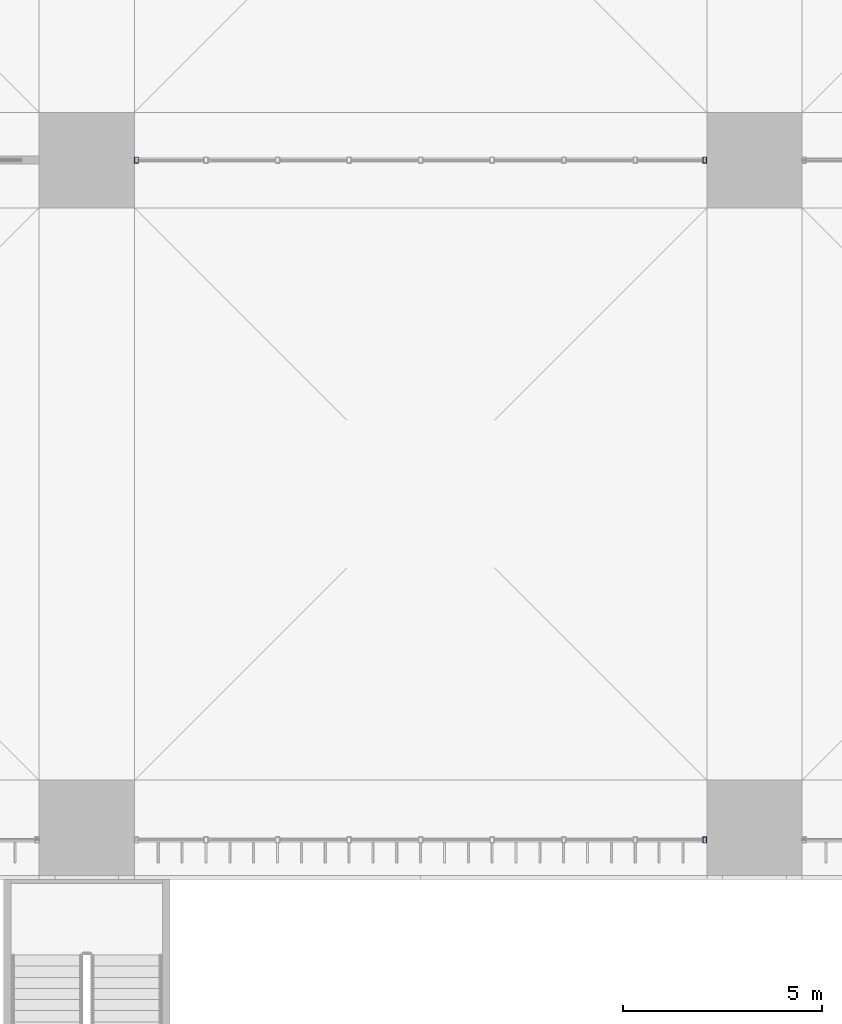
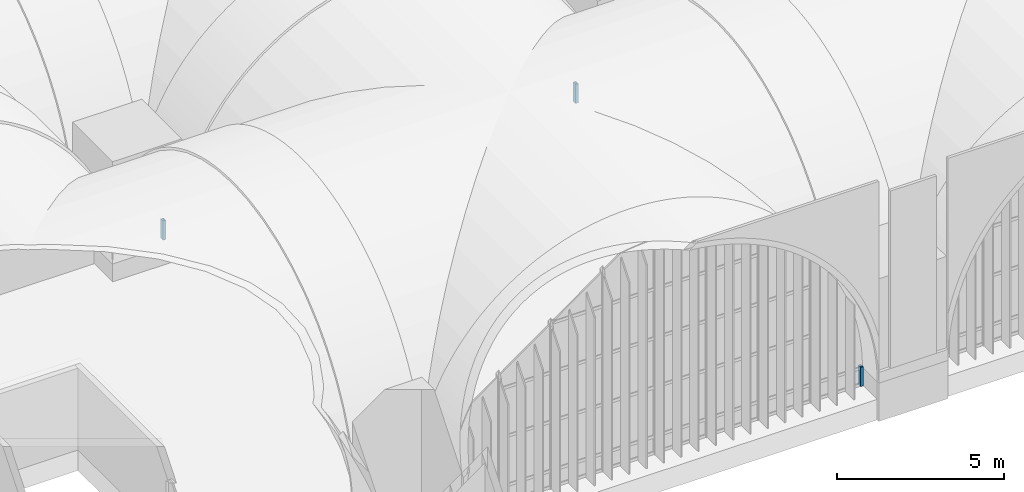
# One storey, part 61 of 169: 3 members, 2 elements without a shape of their own.
"""IFC4 building model written with IfcOpenShell, lengths in metres."""

from ifc_helpers import new_model, si_unit, direction, frame, origin, origin_2d, place, context, subcontext, project, spatial, hollow_rectangle, extrude, material, layer, layer_set, material_profile, profile_set, type_object, element, aggregate, save


model = new_model("IFC4")

# Units and contexts
model_context = context("Model", 3, precision=1e-05, world=origin(), true_north=direction((0.0, 1.0)))
body_context = subcontext(model_context, "Body", "Model", "MODEL_VIEW")
ifc_project = project(units=[si_unit("LENGTHUNIT", "METRE"), si_unit("AREAUNIT", "SQUARE_METRE"), si_unit("VOLUMEUNIT", "CUBIC_METRE"), si_unit("PLANEANGLEUNIT", "RADIAN"), si_unit("MASSUNIT", "GRAM", prefix="KILO")], contexts=[model_context])

# Site, building, storey
site_placement = place(None, origin())
site = spatial("IfcSite", under=ifc_project, at=site_placement, CompositionType="ELEMENT")
building_placement = place(site_placement, origin())
building = spatial("IfcBuilding", under=site, at=building_placement, Name="Verrick Yard Athletic Hall", CompositionType="ELEMENT")
storey_placement = place(building_placement, frame((0.0, 0.0, 4.39990234375)))
storey = spatial("IfcBuildingStorey", under=building, at=storey_placement, Name="L01", CompositionType="ELEMENT", Elevation=4.39990234375)

# Curtain wall, member
ifc_material_1 = material(Name="Aluminium and glass curtain wall", Category="aluminium")
ifc_layer_1 = layer(ifc_material_1, 0.14990234375)
ifc_layer_set_1 = layer_set([ifc_layer_1], Name="Arcade glazing arch")
curtain_wall_type_1 = type_object("IfcCurtainWallType", Name="Arcade glazing arch", PredefinedType="NOTDEFINED", material=ifc_layer_set_1)
curtain_wall_1_placement = place(storey_placement, origin())
curtain_wall_1 = element("IfcCurtainWall", 1, at=curtain_wall_1_placement, inside=storey, type_object=curtain_wall_type_1, Name="Arcade glazing S2", PredefinedType="NOTDEFINED")
ifc_material_2 = material(Name="Structural steel HSS Class C 350W (CSA G40.20/G40.21)", Category="steel")
ifc_material_profile = material_profile(ifc_material_2, hollow_rectangle(XDim=0.1015625, YDim=0.15234375, WallThickness=0.008056640625, at=origin_2d()), Name="HSS152x102x7.9")
ifc_profile_set = profile_set([ifc_material_profile], Name="Structural steel HSS Class C 350W (CSA G40.20/G40.21)")
member_type = type_object("IfcMemberType", Name="Curtain wall mullion HSS152x102x7.9", PredefinedType="MULLION", material=ifc_profile_set)
member_1_placement = place(storey_placement, frame((72.3486328125, 18.89990234375, 0.0), z_axis=(0.0, 0.0, 1.0), x_axis=(1.0, 0.0, 0.0)))
member_1 = element("IfcMember", 2, at=member_1_placement, type_object=member_type, Name="Arcade glazing S2 mullion 9", PredefinedType="MULLION", context=body_context, shape_type="SweptSolid", body=[
    extrude(hollow_rectangle(XDim=0.1015625, YDim=0.15234375, WallThickness=0.008056640625, at=origin_2d()), origin(), (0.0, 0.0, 1.0), 0.700927734375),
])
aggregate(curtain_wall_1, [member_1])

# Curtain wall, members
ifc_layer_2 = layer(ifc_material_1, 0.14990234375)
ifc_layer_set_2 = layer_set([ifc_layer_2], Name="Concourse arch screen")
curtain_wall_type_2 = type_object("IfcCurtainWallType", Name="Concourse arch screen", PredefinedType="NOTDEFINED", material=ifc_layer_set_2)
curtain_wall_2_placement = place(storey_placement, origin())
curtain_wall_2 = element("IfcCurtainWall", 3, at=curtain_wall_2_placement, inside=storey, type_object=curtain_wall_type_2, Name="Concourse screen 2", PredefinedType="NOTDEFINED")
member_2_placement = place(storey_placement, frame((58.05126953125, 36.0, 0.0), z_axis=(0.0, 0.0, 1.0), x_axis=(1.0, 0.0, 0.0)))
member_2 = element("IfcMember", 4, at=member_2_placement, type_object=member_type, Name="Concourse screen 2 mullion 1", PredefinedType="MULLION", context=body_context, shape_type="SweptSolid", body=[
    extrude(hollow_rectangle(XDim=0.1015625, YDim=0.15234375, WallThickness=0.008056640625, at=origin_2d()), origin(), (0.0, 0.0, 1.0), 0.700927734375),
])
member_3_placement = place(storey_placement, frame((72.3486328125, 36.0, 0.0), z_axis=(0.0, 0.0, 1.0), x_axis=(1.0, 0.0, 0.0)))
member_3 = element("IfcMember", 5, at=member_3_placement, type_object=member_type, Name="Concourse screen 2 mullion 9", PredefinedType="MULLION", context=body_context, shape_type="SweptSolid", body=[
    extrude(hollow_rectangle(XDim=0.1015625, YDim=0.15234375, WallThickness=0.008056640625, at=origin_2d()), origin(), (0.0, 0.0, 1.0), 0.700927734375),
])
aggregate(curtain_wall_2, [member_2, member_3])

save(model, "model.ifc")
